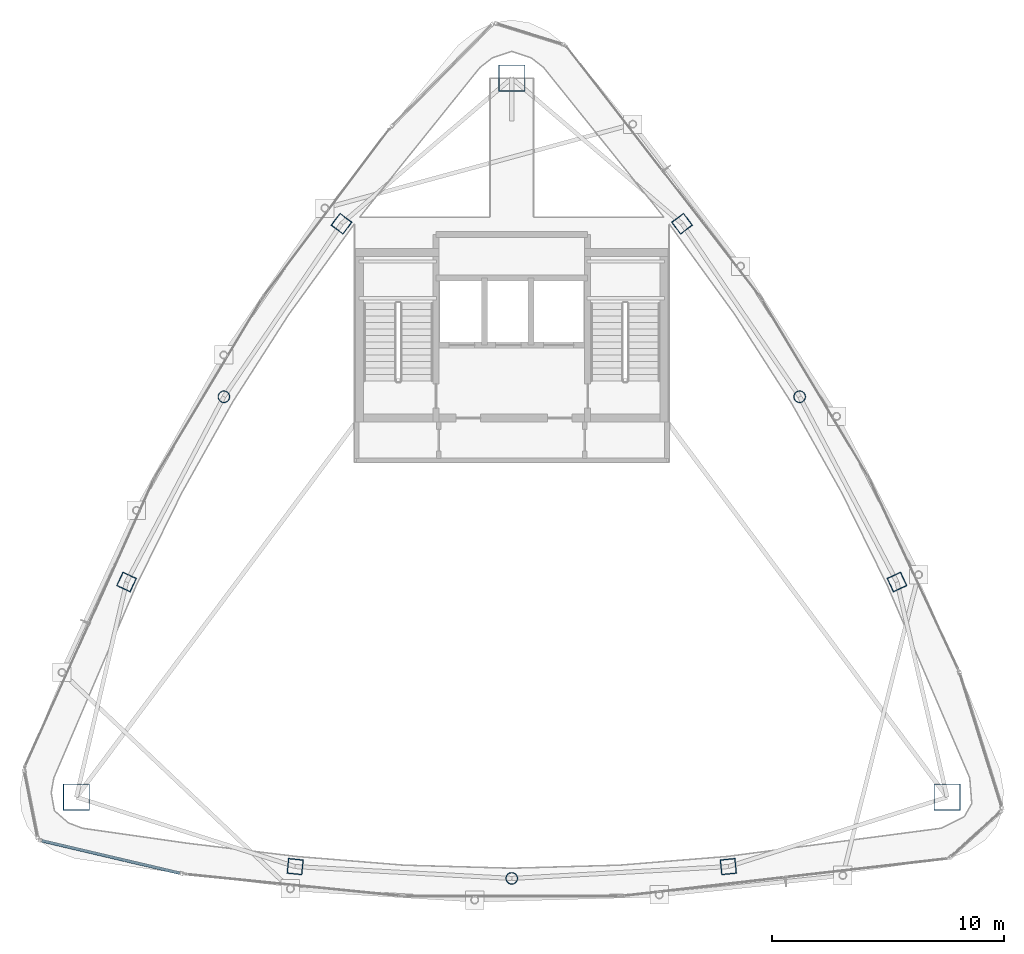
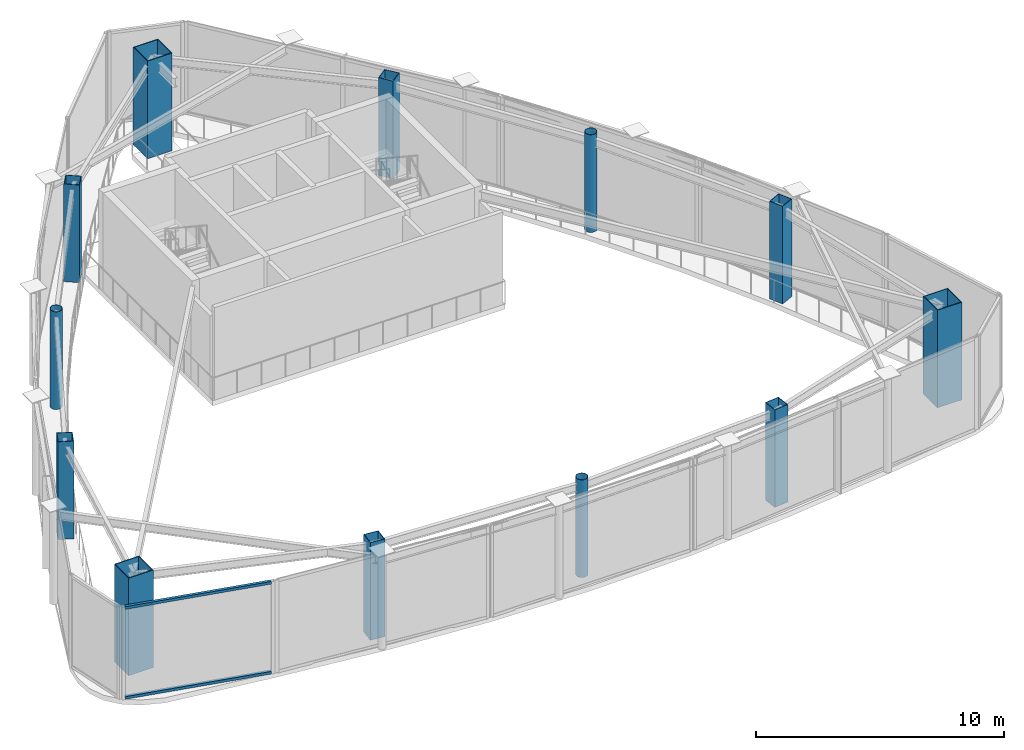
# One storey, part 1 of 19: 12 columns, 2 members, 1 element without a shape of its own.
"""IFC4 building model written with IfcOpenShell, lengths in metres."""

import ifcopenshell
import ifcopenshell.guid

model = None  # the IFC model being written
_history = None  # IfcOwnerHistory: only IFC2X3 demands one
_inside = {}  # id of a spatial element -> (the spatial element, [elements in it])
_under = {}  # id of a project, library or spatial element -> (it, [spatial elements below it])
_declared = {}  # id of a project -> (the project, [libraries it declares])
_typed = {}  # id of a type object -> (the type object, [elements of that type])
_made_of = {}  # id of a material, layer set ... -> (it, [elements and type objects made of it])


def new_model(schema):
    """Start an empty IFC model of exactly this schema.

    Asked for "IFC4X3", IfcOpenShell would pick the latest addendum, in which some entities
    have other attributes; the version numbers below select the first issue.
    IFC2X3 requires an IfcOwnerHistory on every rooted entity: one is made here for all.
    """
    global model, _history
    if schema == "IFC4X3":
        model = ifcopenshell.file(schema_version=(4, 3, 0, 0))
    else:
        model = ifcopenshell.file(schema=schema)
    _inside.clear()
    _under.clear()
    _declared.clear()
    _typed.clear()
    _made_of.clear()
    _history = None
    if model.schema == "IFC2X3":
        org = make("IfcOrganization", Name="unknown")
        user = make(
            "IfcPersonAndOrganization",
            ThePerson=make("IfcPerson", FamilyName="unknown"),
            TheOrganization=org,
        )
        app = make(
            "IfcApplication",
            ApplicationDeveloper=org,
            Version="unknown",
            ApplicationFullName="unknown",
            ApplicationIdentifier="unknown",
        )
        _history = make(
            "IfcOwnerHistory",
            OwningUser=user,
            OwningApplication=app,
            ChangeAction="ADDED",
            CreationDate=0,
        )
    return model


def make(cls, **values):
    """One entity of the class cls with the attributes given. An attribute that is None is left unset."""
    return model.create_entity(
        cls, **{name: value for name, value in values.items() if value is not None}
    )


def rooted(cls, **values):
    """An entity with a GlobalId (a new one), such as an element, a storey or a relation."""
    return make(cls, GlobalId=ifcopenshell.guid.new(), OwnerHistory=_history, **values)


def si_unit(unit_type, name, prefix=None):
    """IfcSIUnit, for example si_unit("LENGTHUNIT", "METRE", prefix="MILLI")."""
    return make("IfcSIUnit", UnitType=unit_type, Prefix=prefix, Name=name)


def assignment(units):
    """IfcUnitAssignment: the units of a project."""
    return None if units is None else make("IfcUnitAssignment", Units=units)


def point(xyz):
    """IfcCartesianPoint."""
    return None if xyz is None else make("IfcCartesianPoint", Coordinates=xyz)


def direction(xyz):
    """IfcDirection."""
    return None if xyz is None else make("IfcDirection", DirectionRatios=xyz)


def frame(location, z_axis=None, x_axis=None):
    """IfcAxis2Placement3D, a coordinate frame: its origin and axes. An axis left out is left unset."""
    return make(
        "IfcAxis2Placement3D",
        Location=point(location),
        Axis=direction(z_axis),
        RefDirection=direction(x_axis),
    )


def frame_2d(location, x_axis=None):
    """IfcAxis2Placement2D, a coordinate frame in the plane: its origin and x axis."""
    return make(
        "IfcAxis2Placement2D", Location=point(location), RefDirection=direction(x_axis)
    )


def origin():
    """The frame at (0, 0, 0) with its axes left unset."""
    return frame((0.0, 0.0, 0.0))


def origin_2d():
    """The frame at (0, 0) in the plane with its x axis left unset."""
    return frame_2d((0.0, 0.0))


def place(relative_to, where):
    """IfcLocalPlacement: puts the frame where relative to a parent placement (None: the world)."""
    return make(
        "IfcLocalPlacement", PlacementRelTo=relative_to, RelativePlacement=where
    )


def context(
    kind, dimensions, precision=None, world=None, true_north=None, identifier=None
):
    """IfcGeometricRepresentationContext, for example the 3D "Model" context."""
    return make(
        "IfcGeometricRepresentationContext",
        ContextIdentifier=identifier,
        ContextType=kind,
        CoordinateSpaceDimension=dimensions,
        Precision=precision,
        WorldCoordinateSystem=world,
        TrueNorth=true_north,
    )


def subcontext(parent, identifier, kind, view, scale=None):
    """IfcGeometricRepresentationSubContext, for example "Body" below "Model"."""
    return make(
        "IfcGeometricRepresentationSubContext",
        ContextIdentifier=identifier,
        ContextType=kind,
        ParentContext=parent,
        TargetScale=scale,
        TargetView=view,
    )


def project(units=None, contexts=None):
    """IfcProject with its units and contexts."""
    return rooted(
        "IfcProject",
        Name="project",
        RepresentationContexts=contexts,
        UnitsInContext=assignment(units),
    )


def spatial(cls, under=None, at=None, **own):
    """A site, building, storey or space (cls), placed at a placement, below another one or the project."""
    s = rooted(cls, ObjectPlacement=at, **own)
    if under is not None:
        _under.setdefault(under.id(), (under, []))[1].append(s)
    return s


def profile(cls, at=None, kind="AREA", **sizes):
    """A parametric profile (cls). Its sizes go by their IFC names, for example OverallWidth=200.0."""
    return make(cls, ProfileType=kind, Position=at, **sizes)


def hollow_rectangle(**sizes):
    """IfcRectangleHollowProfileDef."""
    return profile("IfcRectangleHollowProfileDef", **sizes)


def hollow_circle(**sizes):
    """IfcCircleHollowProfileDef."""
    return profile("IfcCircleHollowProfileDef", **sizes)


def extrude(swept, where, along, depth):
    """IfcExtrudedAreaSolid: the profile swept, set in the frame where, extruded along a direction by depth."""
    return make(
        "IfcExtrudedAreaSolid",
        SweptArea=swept,
        Position=where,
        ExtrudedDirection=direction(along),
        Depth=depth,
    )


def shape(context_of_items, identifier, shape_type, items):
    """IfcShapeRepresentation: the items that make up one representation, for example the "Body"."""
    return make(
        "IfcShapeRepresentation",
        ContextOfItems=context_of_items,
        RepresentationIdentifier=identifier,
        RepresentationType=shape_type,
        Items=items,
    )


def material(Name=None, Category=None):
    """IfcMaterial."""
    return make("IfcMaterial", Name=Name, Category=Category)


def layer(
    of_material, thickness, ventilated=None, Name=None, Category=None, Priority=None
):
    """IfcMaterialLayer: one layer of a wall or slab, of a material (None: an air gap)."""
    return make(
        "IfcMaterialLayer",
        Material=of_material,
        LayerThickness=thickness,
        IsVentilated=ventilated,
        Name=Name,
        Category=Category,
        Priority=Priority,
    )


def layer_set(layers, Name=None):
    """IfcMaterialLayerSet."""
    return make("IfcMaterialLayerSet", MaterialLayers=layers, LayerSetName=Name)


def material_profile(
    of_material, cross_section, Name=None, Category=None, Priority=None
):
    """IfcMaterialProfile: a cross section and its material."""
    return make(
        "IfcMaterialProfile",
        Name=Name,
        Material=of_material,
        Profile=cross_section,
        Priority=Priority,
        Category=Category,
    )


def profile_set(profiles, Name=None, composite=None):
    """IfcMaterialProfileSet."""
    return make(
        "IfcMaterialProfileSet",
        Name=Name,
        MaterialProfiles=profiles,
        CompositeProfile=composite,
    )


def made_of(thing, what):
    """Note that an element or type object is made of a material, layer set ...; save() writes the relation."""
    if what is not None:
        _made_of.setdefault(what.id(), (what, []))[1].append(thing)
    return thing


def type_object(cls, material=None, **own):
    """A type object (cls), such as IfcWallType, which elements share."""
    return made_of(rooted(cls, **own), material)


def element(
    cls,
    number,
    at=None,
    inside=None,
    cuts=None,
    type_object=None,
    material=None,
    context=None,
    identifier="Body",
    shape_type=None,
    held_by="IfcProductDefinitionShape",
    body=None,
    shapes=None,
    **own,
):
    """One element of the class cls, such as IfcWall. Its Tag is "e" and its number.

    at: its placement. inside: the storey or other place that contains it. cuts: it is an
    opening in that element (IfcRelVoidsElement). A single representation is given by context,
    identifier, shape_type and body (its items); several are given by shapes. held_by: the class
    of the entity that holds the representations. save() writes the other relations.
    """
    e = rooted(cls, Tag="e%d" % number, ObjectPlacement=at, **own)
    if body is not None:
        shapes = [shape(context, identifier, shape_type, body)]
    if shapes is not None:
        e.Representation = make(held_by, Representations=shapes)
    if inside is not None:
        _inside.setdefault(inside.id(), (inside, []))[1].append(e)
    if cuts is not None:
        rooted(
            "IfcRelVoidsElement", RelatingBuildingElement=cuts, RelatedOpeningElement=e
        )
    if type_object is not None:
        _typed.setdefault(type_object.id(), (type_object, []))[1].append(e)
    return made_of(e, material)


def aggregate(whole, parts):
    """IfcRelAggregates: a whole, such as a stair, and the parts it consists of."""
    return rooted("IfcRelAggregates", RelatingObject=whole, RelatedObjects=parts)


def save(model, path):
    """Write the relations noted so far, then the file.

    IfcRelAggregates (storeys below a building ...), IfcRelContainedInSpatialStructure (elements
    in a storey), IfcRelDefinesByType, IfcRelAssociatesMaterial and IfcRelDeclares: one each for
    every whole, place, type object, material and project.
    """
    for whole, parts in _under.values():
        aggregate(whole, parts)
    for where, things in _inside.values():
        rooted(
            "IfcRelContainedInSpatialStructure",
            RelatedElements=things,
            RelatingStructure=where,
        )
    for kind, things in _typed.values():
        rooted("IfcRelDefinesByType", RelatedObjects=things, RelatingType=kind)
    for what, things in _made_of.values():
        rooted("IfcRelAssociatesMaterial", RelatedObjects=things, RelatingMaterial=what)
    for by, libraries in _declared.values():
        rooted("IfcRelDeclares", RelatingContext=by, RelatedDefinitions=libraries)
    model.write(path)


model = new_model("IFC4")

# Units and contexts
model_context = context("Model", 3, precision=1e-05, world=origin(), true_north=direction((0.0, 1.0)))
body_context = subcontext(model_context, "Body", "Model", "MODEL_VIEW")
ifc_project = project(units=[si_unit("LENGTHUNIT", "METRE"), si_unit("AREAUNIT", "SQUARE_METRE"), si_unit("VOLUMEUNIT", "CUBIC_METRE"), si_unit("PLANEANGLEUNIT", "RADIAN"), si_unit("MASSUNIT", "GRAM", prefix="KILO")], contexts=[model_context])

# Site, building, storey
site_placement = place(None, origin())
site = spatial("IfcSite", under=ifc_project, at=site_placement, CompositionType="ELEMENT")
building_placement = place(site_placement, origin())
building = spatial("IfcBuilding", under=site, at=building_placement, Name="Orvanel Arch Residences", CompositionType="ELEMENT")
storey_placement = place(building_placement, frame((0.0, 0.0, 290.89990234375)))
storey = spatial("IfcBuildingStorey", under=building, at=storey_placement, Name="L82", CompositionType="ELEMENT", Elevation=290.89990234375)

# Columns
ifc_material_1 = material(Name="Structural steel AS/NZS 1163 C350L0 (Grade 350)", Category="steel")
ifc_material_profile_1 = material_profile(ifc_material_1, hollow_circle(Radius=0.25390625, WallThickness=0.01611328125, at=origin_2d()), Name="CHS508x16")
ifc_profile_set_1 = profile_set([ifc_material_profile_1], Name="Structural steel AS/NZS 1163 C350L0 (Grade 350)")
column_type_1 = type_object("IfcColumnType", Name="CC-508", PredefinedType="COLUMN", material=ifc_profile_set_1)
for number, where, z_axis, x_axis, name in (
    (1, (20.569091796875, 27.64111328125, 0.0), (0.0, 0.0, 1.0), (1.0, 0.0, 0.0), "L82 High-Rise Tube Column 02"),
    (2, (33.0, 6.843994140625, 0.0), (0.0, 0.0, 1.0), (1.0, 0.0, 0.0), "L82 High-Rise Tube Column 05"),
    (3, (45.430908203125, 27.64111328125, 0.0), (0.0, 0.0, 1.0), (1.0, 0.0, 0.0), "L82 High-Rise Tube Column 08"),
):
    element("IfcColumn", number, at=place(storey_placement, frame(where, z_axis=z_axis, x_axis=x_axis)), inside=storey, type_object=column_type_1, Name=name, PredefinedType="COLUMN", context=body_context, shape_type="SweptSolid", body=[
        extrude(hollow_circle(Radius=0.25390625, WallThickness=0.01611328125, at=origin_2d()), origin(), (0.0, 0.0, 1.0), 4.800048828125),
    ])
ifc_material_2 = material(Name="Structural steel AS/NZS 3678 Grade 450", Category="steel")
ifc_material_profile_2 = material_profile(ifc_material_2, hollow_rectangle(XDim=1.14990234375, YDim=1.14990234375, WallThickness=0.035888671875, at=origin_2d()), Name="BOX1150x1150x36")
ifc_profile_set_2 = profile_set([ifc_material_profile_2], Name="Structural steel AS/NZS 3678 Grade 450")
column_type_2 = type_object("IfcColumnType", Name="MC-1150", PredefinedType="COLUMN", material=ifc_profile_set_2)
for number, where, z_axis, x_axis, name in (
    (4, (33.0, 41.39794921875, 0.0), (0.0, 0.0, 1.0), (1.0, 0.0, 0.0), "L82 Corner Mega-Column 1"),
    (5, (14.198974609375, 10.35107421875, 0.0), (0.0, 0.0, 1.0), (1.0, 0.0, 0.0), "L82 Corner Mega-Column 2"),
    (6, (51.801025390625, 10.35107421875, 0.0), (0.0, 0.0, 1.0), (1.0, 0.0, 0.0), "L82 Corner Mega-Column 3"),
):
    element("IfcColumn", number, at=place(storey_placement, frame(where, z_axis=z_axis, x_axis=x_axis)), inside=storey, type_object=column_type_2, Name=name, PredefinedType="COLUMN", context=body_context, shape_type="SweptSolid", body=[
        extrude(hollow_rectangle(XDim=1.14990234375, YDim=1.14990234375, WallThickness=0.035888671875, at=origin_2d()), origin(), (0.0, 0.0, 1.0), 4.800048828125),
    ])
ifc_material_3 = material(Name="Structural steel AS/NZS 3678 Grade 350", Category="steel")
ifc_material_profile_3 = material_profile(ifc_material_3, hollow_rectangle(XDim=0.64990234375, YDim=0.64990234375, WallThickness=0.02197265625, at=origin_2d()), Name="BOX650x650x22")
ifc_profile_set_3 = profile_set([ifc_material_profile_3], Name="Structural steel AS/NZS 3678 Grade 350")
column_type_3 = type_object("IfcColumnType", Name="TC-650", PredefinedType="COLUMN", material=ifc_profile_set_3)
for number, where, z_axis, x_axis, name in (
    (7, (25.64794921875, 35.113037109375, 0.0), (0.0, 0.0, 1.0), (0.600420225326, 0.799684658487, 0.0), "L82 High-Rise Tube Column 01"),
    (8, (16.366943359375, 19.64208984375, 0.0), (0.0, 0.0, 1.0), (0.422618261741, 0.906307787037, 0.0), "L82 High-Rise Tube Column 03"),
    (9, (23.64892578125, 7.35498046875, 0.0), (0.0, 0.0, 1.0), (-0.994880708829, 0.101056297183, 0.0), "L82 High-Rise Tube Column 04"),
    (10, (42.35107421875, 7.35498046875, 0.0), (0.0, 0.0, 1.0), (0.994880708829, 0.101056297183, 0.0), "L82 High-Rise Tube Column 06"),
    (11, (49.633056640625, 19.64208984375, 0.0), (0.0, 0.0, 1.0), (-0.422618261741, 0.906307787037, 0.0), "L82 High-Rise Tube Column 07"),
    (12, (40.35205078125, 35.113037109375, 0.0), (0.0, 0.0, 1.0), (-0.600420225326, 0.799684658487, 0.0), "L82 High-Rise Tube Column 09"),
):
    element("IfcColumn", number, at=place(storey_placement, frame(where, z_axis=z_axis, x_axis=x_axis)), inside=storey, type_object=column_type_3, Name=name, PredefinedType="COLUMN", context=body_context, shape_type="SweptSolid", body=[
        extrude(hollow_rectangle(XDim=0.64990234375, YDim=0.64990234375, WallThickness=0.02197265625, at=origin_2d()), origin(), (0.0, 0.0, 1.0), 4.800048828125),
    ])

# Curtain wall, members
ifc_material_4 = material(Name="Bronze-anodised aluminium AA6063-T6", Category="aluminium")
ifc_layer = layer(ifc_material_4, 0.2099609375)
ifc_layer_set = layer_set([ifc_layer], Name="Bronze-anodised aluminium AA6063-T6")
curtain_wall_type = type_object("IfcCurtainWallType", Name="CW7-TOP-SYS", PredefinedType="NOTDEFINED", material=ifc_layer_set)
curtain_wall_placement = place(storey_placement, origin())
curtain_wall = element("IfcCurtainWall", 13, at=curtain_wall_placement, inside=storey, type_object=curtain_wall_type, Name="L82 CW7-TOP-SYS Unitised Curtain Wall", PredefinedType="NOTDEFINED")
ifc_material_profile_4 = material_profile(ifc_material_4, hollow_rectangle(XDim=0.1298828125, YDim=0.1298828125, WallThickness=0.00439453125, at=origin_2d()), Name="ALU130x130x4.5")
ifc_profile_set_4 = profile_set([ifc_material_profile_4], Name="Bronze-anodised aluminium AA6063-T6")
member_type = type_object("IfcMemberType", Name="TRN-130x130", PredefinedType="USERDEFINED", material=ifc_profile_set_4)
member_1_placement = place(storey_placement, frame((12.7060546875, 8.47265625, 0.065185546875), z_axis=(0.973511117585, -0.228639681462, 0.0), x_axis=(0.228639681462, 0.973511117585, 0.0)))
member_1 = element("IfcMember", 14, at=member_1_placement, type_object=member_type, Name="CW-S7 transom 1.1", ObjectType="TRANSOM", PredefinedType="USERDEFINED", context=body_context, shape_type="SweptSolid", body=[
    extrude(hollow_rectangle(XDim=0.1298828125, YDim=0.1298828125, WallThickness=0.00439453125, at=origin_2d()), origin(), (0.0, 0.0, 1.0), 6.129150390625),
])
member_2_placement = place(storey_placement, frame((12.7060546875, 8.47265625, 4.485107421875), z_axis=(0.973511117585, -0.228639681462, 0.0), x_axis=(0.228639681462, 0.973511117585, 0.0)))
member_2 = element("IfcMember", 15, at=member_2_placement, type_object=member_type, Name="CW-S7 transom 1.2", ObjectType="TRANSOM", PredefinedType="USERDEFINED", context=body_context, shape_type="SweptSolid", body=[
    extrude(hollow_rectangle(XDim=0.1298828125, YDim=0.1298828125, WallThickness=0.00439453125, at=origin_2d()), origin(), (0.0, 0.0, 1.0), 6.129150390625),
])
aggregate(curtain_wall, [member_1, member_2])

save(model, "model.ifc")
